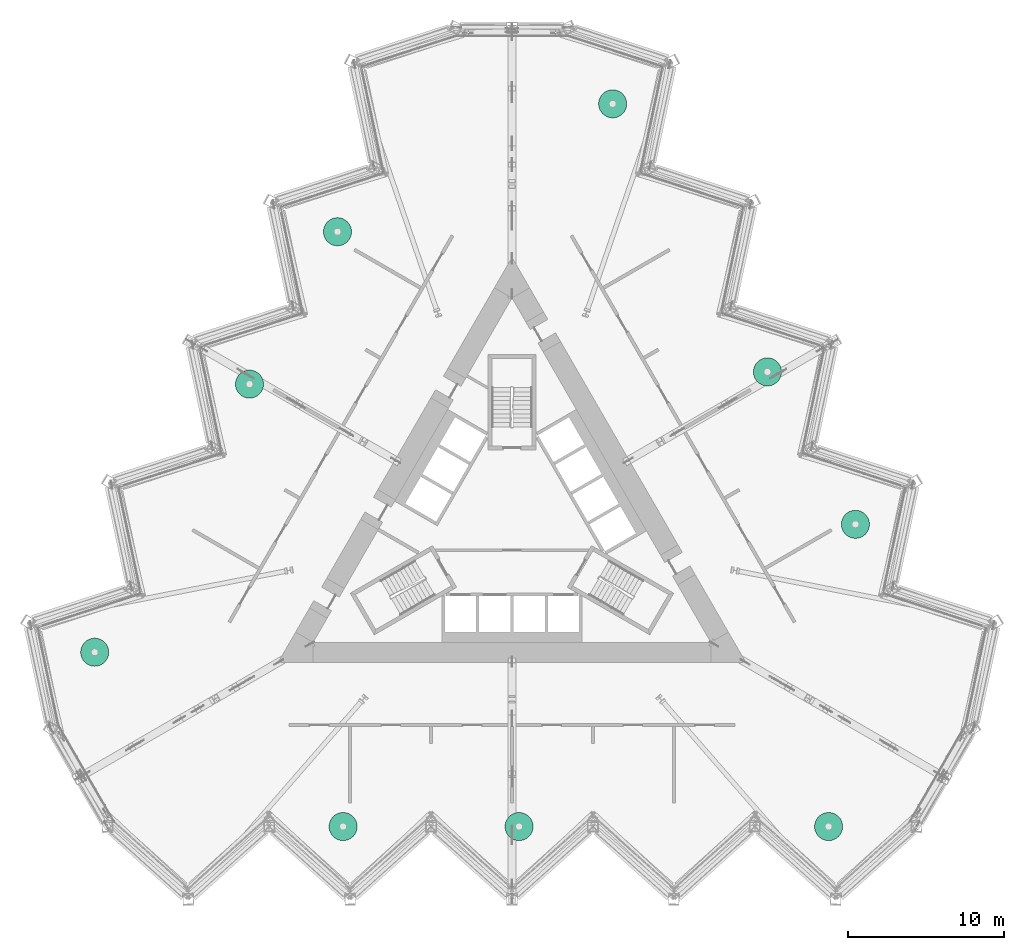
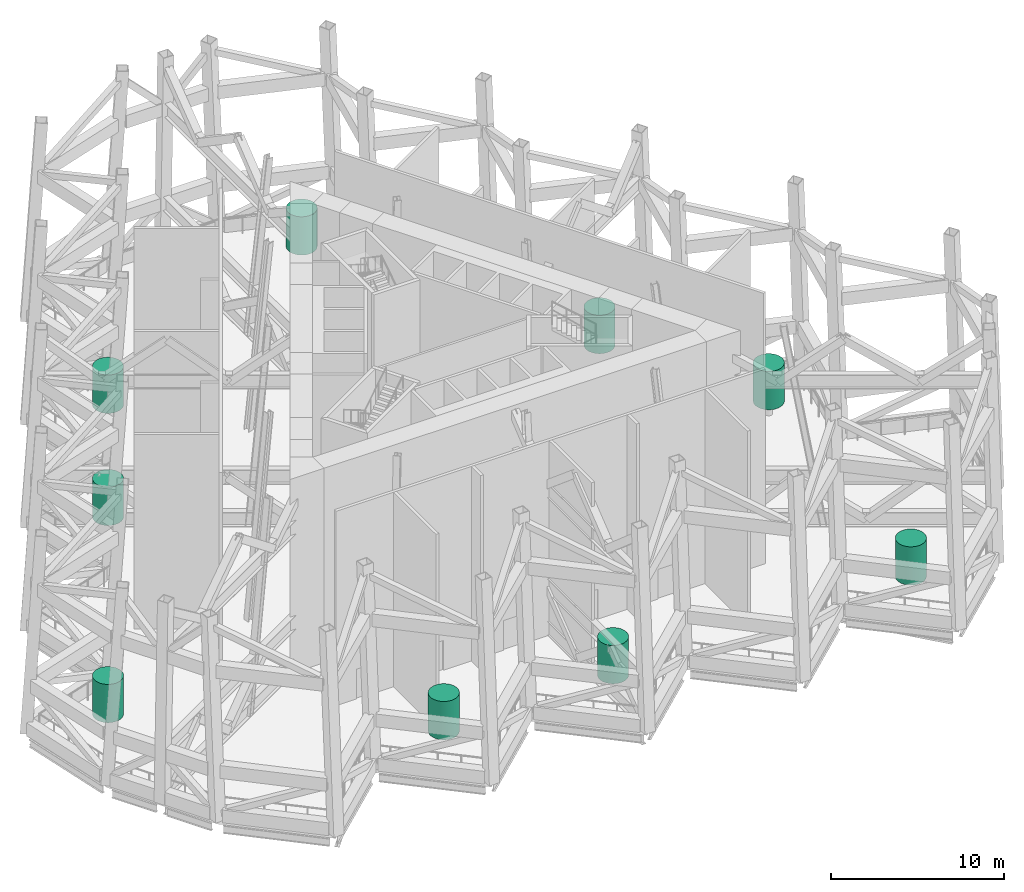
# One storey, part 19 of 19: 9 electric generators.
"""IFC4 building model written with IfcOpenShell, lengths in metres."""

from ifc_helpers import new_model, si_unit, direction, frame, origin, origin_2d, place, context, subcontext, project, spatial, circle, extrude, material, material_profile, profile_set, type_object, element, save


model = new_model("IFC4")

# Units and contexts
model_context = context("Model", 3, precision=1e-05, world=origin(), true_north=direction((0.0, 1.0)))
body_context = subcontext(model_context, "Body", "Model", "MODEL_VIEW")
ifc_project = project(units=[si_unit("LENGTHUNIT", "METRE"), si_unit("AREAUNIT", "SQUARE_METRE"), si_unit("VOLUMEUNIT", "CUBIC_METRE"), si_unit("PLANEANGLEUNIT", "RADIAN"), si_unit("MASSUNIT", "GRAM", prefix="KILO")], contexts=[model_context])

# Site, building, storey
site_placement = place(None, origin())
site = spatial("IfcSite", under=ifc_project, at=site_placement, CompositionType="ELEMENT")
building_placement = place(site_placement, origin())
building = spatial("IfcBuilding", under=site, at=building_placement, Name="Cormorant Prow Tower", CompositionType="ELEMENT")
storey_placement = place(building_placement, frame((0.0, 0.0, 287.800048828125)))
storey = spatial("IfcBuildingStorey", under=building, at=storey_placement, Name="L64", CompositionType="ELEMENT", Elevation=287.800048828125)

# Electric generators
ifc_material = material(Name="Aluminium 6063-T6", Category="aluminium")
ifc_material_profile = material_profile(ifc_material, circle(Radius=0.89990234375, at=origin_2d()), Name="Vertical axis wind turbine 1800")
ifc_profile_set = profile_set([ifc_material_profile], Name="Aluminium 6063-T6")
electric_generator_type = type_object("IfcElectricGeneratorType", Name="Vertical axis wind turbine 1800", PredefinedType="USERDEFINED", material=ifc_profile_set)
for number, where, z_axis, x_axis, name in (
    (1, (-10.829345703125, -19.173095703125, 0.89990234375), (0.0, 0.0, 1.0), (1.0, 0.0, 0.0), "Wind turbine 1"),
    (2, (0.452880859375, -19.173095703125, 0.89990234375), (0.0, 0.0, 1.0), (1.0, 0.0, 0.0), "Wind turbine 2"),
    (3, (20.300048828125, -19.173095703125, 0.89990234375), (0.0, 0.0, 1.0), (1.0, 0.0, 0.0), "Wind turbine 3"),
    (4, (22.01904296875, 0.2080078125, 0.89990234375), (0.0, 0.0, 1.0), (1.0, 0.0, 0.0), "Wind turbine 4"),
    (5, (16.3779296875, 9.978759765625, 0.89990234375), (0.0, 0.0, 1.0), (1.0, 0.0, 0.0), "Wind turbine 5"),
    (6, (6.454345703125, 27.1669921875, 0.89990234375), (0.0, 0.0, 1.0), (1.0, 0.0, 0.0), "Wind turbine 6"),
    (7, (-11.189697265625, 18.965087890625, 0.89990234375), (0.0, 0.0, 1.0), (1.0, 0.0, 0.0), "Wind turbine 7"),
    (8, (-16.830810546875, 9.1943359375, 0.89990234375), (0.0, 0.0, 1.0), (1.0, 0.0, 0.0), "Wind turbine 8"),
    (9, (-26.75439453125, -7.993896484375, 0.89990234375), (0.0, 0.0, 1.0), (1.0, 0.0, 0.0), "Wind turbine 9"),
):
    element("IfcElectricGenerator", number, at=place(storey_placement, frame(where, z_axis=z_axis, x_axis=x_axis)), inside=storey, type_object=electric_generator_type, Name=name, ObjectType="TURBINE", PredefinedType="USERDEFINED", context=body_context, shape_type="SweptSolid", body=[
        extrude(circle(Radius=0.89990234375, at=origin_2d()), origin(), (0.0, 0.0, 1.0), 2.699951171875),
    ])

save(model, "model.ifc")
